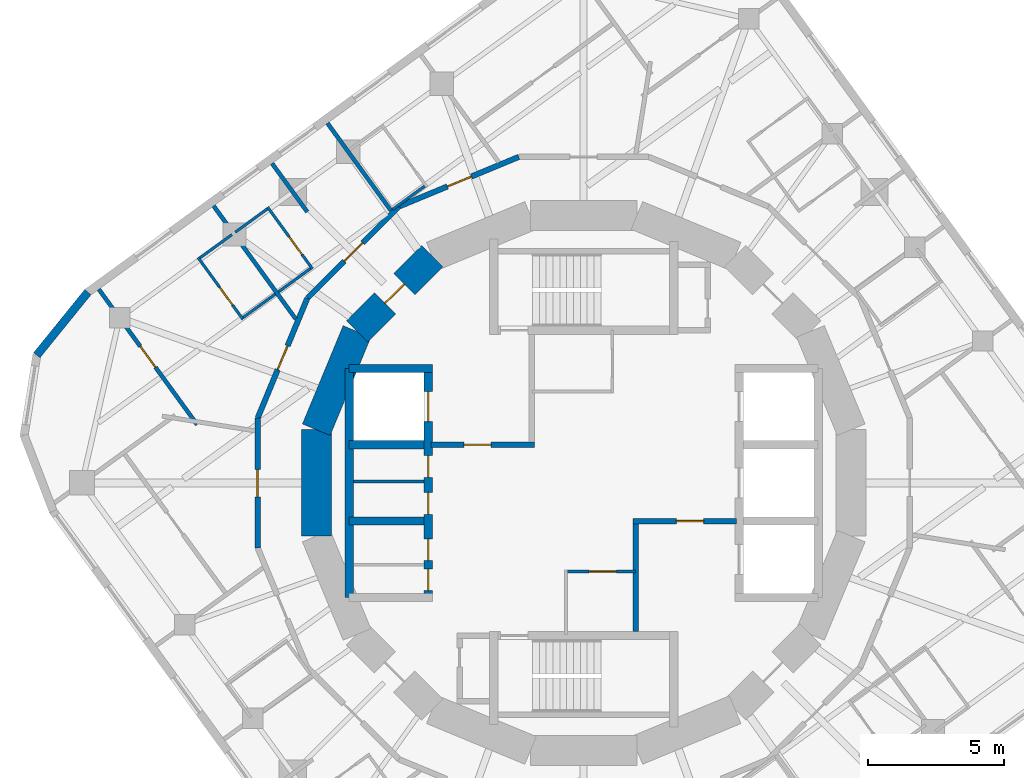
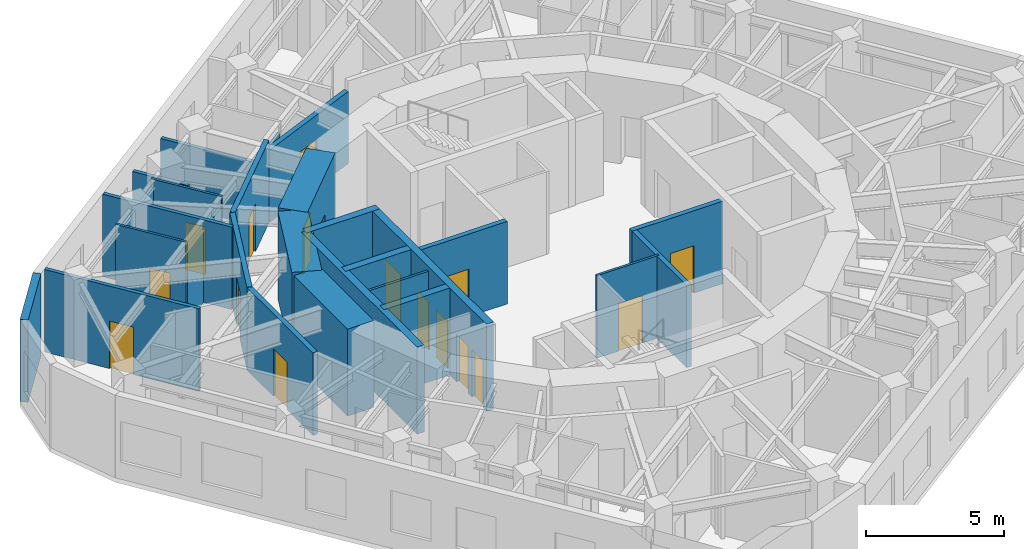
# One storey, part 5 of 9: 29 walls, 16 doors, 16 openings.
"""IFC4 building model written with IfcOpenShell, lengths in metres."""

from ifc_helpers import new_model, si_unit, direction, frame, frame_2d, origin, place, context, subcontext, project, spatial, rectangle, extrude, material, layer, layer_set, type_object, element, fill, save


model = new_model("IFC4")

# Units and contexts
model_context = context("Model", 3, precision=1e-05, world=origin(), true_north=direction((0.0, 1.0)))
body_context = subcontext(model_context, "Body", "Model", "MODEL_VIEW")
ifc_project = project(units=[si_unit("LENGTHUNIT", "METRE"), si_unit("AREAUNIT", "SQUARE_METRE"), si_unit("VOLUMEUNIT", "CUBIC_METRE"), si_unit("PLANEANGLEUNIT", "RADIAN"), si_unit("MASSUNIT", "GRAM", prefix="KILO")], contexts=[model_context])

# Site, building, storey
site_placement = place(None, origin())
site = spatial("IfcSite", under=ifc_project, at=site_placement, CompositionType="ELEMENT")
building_placement = place(site_placement, origin())
building = spatial("IfcBuilding", under=site, at=building_placement, Name="Nakasero Lantern House", CompositionType="ELEMENT")
storey_placement = place(building_placement, frame((0.0, 0.0, 286.85009765625)))
storey = spatial("IfcBuildingStorey", under=building, at=storey_placement, Name="L70", CompositionType="ELEMENT", Elevation=286.85009765625)

# Wall, openings, doors
ifc_material_1 = material(Name="Concrete C50/60", Category="concrete")
ifc_layer_1 = layer(ifc_material_1, 0.300048828125)
ifc_layer_set_1 = layer_set([ifc_layer_1], Name="Core inner wall 300")
wall_type_1 = type_object("IfcWallType", Name="Core inner wall 300", PredefinedType="SHEAR", material=ifc_layer_set_1)
wall_1_placement = place(storey_placement, frame((-5.699951171875, -4.199951171875, 0.0), z_axis=(0.0, 0.0, 1.0), x_axis=(0.0, 1.0, 0.0)))
wall_1 = element("IfcWall", 1, at=wall_1_placement, inside=storey, type_object=wall_type_1, Name="Core inner wall L70 LW", PredefinedType="SHEAR", context=body_context, shape_type="SweptSolid", body=[
    extrude(rectangle(XDim=8.39990234375, YDim=0.300048828125, at=frame_2d((4.199951171875, 0.0))), origin(), (0.0, 0.0, 1.0), 3.849853515625),
])
opening_1_placement = place(wall_1_placement, frame((0.25, 0.0, 0.0)))
opening_1 = element("IfcOpeningElement", 2, at=opening_1_placement, cuts=wall_1, Name="Opening D15", PredefinedType="OPENING", context=body_context, shape_type="SweptSolid", body=[
    extrude(rectangle(XDim=0.800048828125, YDim=2.10009765625, at=frame_2d((0.39990234375, 1.050048828125))), frame((0.0, 0.169921875, 0.0), z_axis=(0.0, -1.0, 0.0), x_axis=(1.0, 0.0, 0.0)), (0.0, 0.0, 1.0), 0.340087890625),
])
opening_2_placement = place(wall_1_placement, frame((1.35009765625, 0.0, 0.0)))
opening_2 = element("IfcOpeningElement", 3, at=opening_2_placement, cuts=wall_1, Name="Opening D15", PredefinedType="OPENING", context=body_context, shape_type="SweptSolid", body=[
    extrude(rectangle(XDim=0.800048828125, YDim=2.10009765625, at=frame_2d((0.39990234375, 1.050048828125))), frame((0.0, 0.169921875, 0.0), z_axis=(0.0, -1.0, 0.0), x_axis=(1.0, 0.0, 0.0)), (0.0, 0.0, 1.0), 0.340087890625),
])
opening_3_placement = place(wall_1_placement, frame((3.050048828125, 0.0, 0.0)))
opening_3 = element("IfcOpeningElement", 4, at=opening_3_placement, cuts=wall_1, Name="Opening D15", PredefinedType="OPENING", context=body_context, shape_type="SweptSolid", body=[
    extrude(rectangle(XDim=0.800048828125, YDim=2.10009765625, at=frame_2d((0.39990234375, 1.050048828125))), frame((0.0, 0.169921875, 0.0), z_axis=(0.0, -1.0, 0.0), x_axis=(1.0, 0.0, 0.0)), (0.0, 0.0, 1.0), 0.340087890625),
])
opening_4_placement = place(wall_1_placement, frame((4.39990234375, 0.0, 0.0)))
opening_4 = element("IfcOpeningElement", 5, at=opening_4_placement, cuts=wall_1, Name="Opening D15", PredefinedType="OPENING", context=body_context, shape_type="SweptSolid", body=[
    extrude(rectangle(XDim=0.800048828125, YDim=2.10009765625, at=frame_2d((0.39990234375, 1.050048828125))), frame((0.0, 0.169921875, 0.0), z_axis=(0.0, -1.0, 0.0), x_axis=(1.0, 0.0, 0.0)), (0.0, 0.0, 1.0), 0.340087890625),
])
opening_5_placement = place(wall_1_placement, frame((6.449951171875, 0.0, 0.0)))
opening_5 = element("IfcOpeningElement", 6, at=opening_5_placement, cuts=wall_1, Name="Opening LD", PredefinedType="OPENING", context=body_context, shape_type="SweptSolid", body=[
    extrude(rectangle(XDim=1.10009765625, YDim=2.10009765625, at=frame_2d((0.550048828125, 1.050048828125))), frame((0.0, 0.169921875, 0.0), z_axis=(0.0, -1.0, 0.0), x_axis=(1.0, 0.0, 0.0)), (0.0, 0.0, 1.0), 0.340087890625),
])
ifc_material_2 = material(Name="Timber C24", Category="wood")
door_type_1 = type_object("IfcDoorType", Name="Cleaner's store door FD30S 800", OperationType="SINGLE_SWING_LEFT", PredefinedType="DOOR", material=ifc_material_2)
door_1_placement = place(opening_1_placement, origin())
door_1 = element("IfcDoor", 7, at=door_1_placement, inside=storey, type_object=door_type_1, Name="Door L70 D-SH-LW1a", OperationType="SINGLE_SWING_LEFT", OverallHeight=2.10009765625, OverallWidth=0.800048828125, PredefinedType="DOOR", context=body_context, shape_type="SweptSolid", body=[
    extrude(rectangle(XDim=0.800048828125, YDim=2.10009765625, at=frame_2d((0.39990234375, 1.050048828125))), frame((0.0, 0.02490234375, 0.0), z_axis=(0.0, -1.0, 0.0), x_axis=(1.0, 0.0, 0.0)), (0.0, 0.0, 1.0), 0.050048828125),
])
fill(opening_1, door_1)
door_2_placement = place(opening_2_placement, origin())
door_2 = element("IfcDoor", 8, at=door_2_placement, inside=storey, type_object=door_type_1, Name="Door L70 D-SH-LW1b", OperationType="SINGLE_SWING_LEFT", OverallHeight=2.10009765625, OverallWidth=0.800048828125, PredefinedType="DOOR", context=body_context, shape_type="SweptSolid", body=[
    extrude(rectangle(XDim=0.800048828125, YDim=2.10009765625, at=frame_2d((0.39990234375, 1.050048828125))), frame((0.0, 0.02490234375, 0.0), z_axis=(0.0, -1.0, 0.0), x_axis=(1.0, 0.0, 0.0)), (0.0, 0.0, 1.0), 0.050048828125),
])
fill(opening_2, door_2)
door_3_placement = place(opening_3_placement, origin())
door_3 = element("IfcDoor", 9, at=door_3_placement, inside=storey, type_object=door_type_1, Name="Door L70 D-SH-LW2a", OperationType="SINGLE_SWING_LEFT", OverallHeight=2.10009765625, OverallWidth=0.800048828125, PredefinedType="DOOR", context=body_context, shape_type="SweptSolid", body=[
    extrude(rectangle(XDim=0.800048828125, YDim=2.10009765625, at=frame_2d((0.39990234375, 1.050048828125))), frame((0.0, 0.02490234375, 0.0), z_axis=(0.0, -1.0, 0.0), x_axis=(1.0, 0.0, 0.0)), (0.0, 0.0, 1.0), 0.050048828125),
])
fill(opening_3, door_3)
door_4_placement = place(opening_4_placement, origin())
door_4 = element("IfcDoor", 10, at=door_4_placement, inside=storey, type_object=door_type_1, Name="Door L70 D-SH-LW2b", OperationType="SINGLE_SWING_RIGHT", OverallHeight=2.10009765625, OverallWidth=0.800048828125, PredefinedType="DOOR", context=body_context, shape_type="SweptSolid", body=[
    extrude(rectangle(XDim=0.800048828125, YDim=2.10009765625, at=frame_2d((0.39990234375, 1.050048828125))), frame((0.0, 0.02490234375, 0.0), z_axis=(0.0, -1.0, 0.0), x_axis=(1.0, 0.0, 0.0)), (0.0, 0.0, 1.0), 0.050048828125),
])
fill(opening_4, door_4)
ifc_material_3 = material(Name="Steel S355", Category="steel")
door_type_2 = type_object("IfcDoorType", Name="Lift landing door E120 1100", OperationType="SLIDING_TO_LEFT", PredefinedType="DOOR", material=ifc_material_3)
door_5_placement = place(opening_5_placement, origin())
door_5 = element("IfcDoor", 11, at=door_5_placement, inside=storey, type_object=door_type_2, Name="Lift landing door LW3", OperationType="SLIDING_TO_LEFT", OverallHeight=2.10009765625, OverallWidth=1.10009765625, PredefinedType="DOOR", context=body_context, shape_type="SweptSolid", body=[
    extrude(rectangle(XDim=1.10009765625, YDim=2.10009765625, at=frame_2d((0.550048828125, 1.050048828125))), frame((0.0, 0.02490234375, 0.0), z_axis=(0.0, -1.0, 0.0), x_axis=(1.0, 0.0, 0.0)), (0.0, 0.0, 1.0), 0.050048828125),
])
fill(opening_5, door_5)

# Walls
wall_2_placement = place(storey_placement, frame((-8.60009765625, 4.199951171875, 0.0), z_axis=(0.0, 0.0, 1.0), x_axis=(1.0, 0.0, 0.0)))
element("IfcWall", 12, at=wall_2_placement, inside=storey, type_object=wall_type_1, Name="Core inner wall L70 LWN", PredefinedType="SHEAR", context=body_context, shape_type="SweptSolid", body=[
    extrude(rectangle(XDim=3.050048828125, YDim=0.300048828125, at=frame_2d((1.52490234375, 0.0))), origin(), (0.0, 0.0, 1.0), 3.849853515625),
])
wall_3_placement = place(storey_placement, frame((-8.60009765625, -4.199951171875, 0.0), z_axis=(0.0, 0.0, 1.0), x_axis=(0.0, 1.0, 0.0)))
element("IfcWall", 13, at=wall_3_placement, inside=storey, type_object=wall_type_1, Name="Core inner wall L70 LWB", PredefinedType="SHEAR", context=body_context, shape_type="SweptSolid", body=[
    extrude(rectangle(XDim=8.39990234375, YDim=0.300048828125, at=frame_2d((4.199951171875, 0.0))), origin(), (0.0, 0.0, 1.0), 3.849853515625),
])
for number, where, z_axis, x_axis, name in (
    (14, (-8.60009765625, -1.39990234375, 0.0), (0.0, 0.0, 1.0), (1.0, 0.0, 0.0), "Core inner wall L70 LW1"),
    (15, (-8.60009765625, 1.39990234375, 0.0), (0.0, 0.0, 1.0), (1.0, 0.0, 0.0), "Core inner wall L70 LW2"),
):
    element("IfcWall", number, at=place(storey_placement, frame(where, z_axis=z_axis, x_axis=x_axis)), inside=storey, type_object=wall_type_1, Name=name, PredefinedType="SHEAR", context=body_context, shape_type="SweptSolid", body=[
        extrude(rectangle(XDim=2.75, YDim=0.300048828125, at=frame_2d((1.375, 0.0))), origin(), (0.0, 0.0, 1.0), 3.849853515625),
    ])

# Wall, opening, door
ifc_material_4 = material(Name="Blockwork", Category="masonry")
ifc_layer_2 = layer(ifc_material_4, 0.10009765625)
ifc_layer_set_2 = layer_set([ifc_layer_2], Name="Core room wall 100")
wall_type_2 = type_object("IfcWallType", Name="Core room wall 100", PredefinedType="PARTITIONING", material=ifc_layer_set_2)
wall_4_placement = place(storey_placement, frame((-0.699951171875, -3.25, 0.0), z_axis=(0.0, 0.0, 1.0), x_axis=(1.0, 0.0, 0.0)))
wall_4 = element("IfcWall", 16, at=wall_4_placement, inside=storey, type_object=wall_type_2, Name="Core room wall L70 CR-SWN", PredefinedType="PARTITIONING", context=body_context, shape_type="SweptSolid", body=[
    extrude(rectangle(XDim=2.599853515625, YDim=0.10009765625, at=frame_2d((1.2998046875, 0.0))), origin(), (0.0, 0.0, 1.0), 3.64990234375),
])
opening_6_placement = place(wall_4_placement, frame((0.89990234375, 0.0, 0.0)))
opening_6 = element("IfcOpeningElement", 17, at=opening_6_placement, cuts=wall_4, Name="Opening D07", PredefinedType="OPENING", context=body_context, shape_type="SweptSolid", body=[
    extrude(rectangle(XDim=1.0, YDim=2.10009765625, at=frame_2d((0.5, 1.050048828125))), frame((0.0, 0.070068359375, 0.0), z_axis=(0.0, -1.0, 0.0), x_axis=(1.0, 0.0, 0.0)), (0.0, 0.0, 1.0), 0.14013671875),
])
ifc_material_5 = material(Name="Timber C24", Category="wood")
door_type_3 = type_object("IfcDoorType", Name="Room door FD30S 1000", OperationType="SINGLE_SWING_LEFT", PredefinedType="DOOR", material=ifc_material_5)
door_6_placement = place(opening_6_placement, origin())
door_6 = element("IfcDoor", 18, at=door_6_placement, inside=storey, type_object=door_type_3, Name="Door L70 D-CR-SW", OperationType="SINGLE_SWING_RIGHT", OverallHeight=2.10009765625, OverallWidth=1.0, PredefinedType="DOOR", context=body_context, shape_type="SweptSolid", body=[
    extrude(rectangle(XDim=1.0, YDim=2.10009765625, at=frame_2d((0.5, 1.050048828125))), frame((0.0, 0.02490234375, 0.0), z_axis=(0.0, -1.0, 0.0), x_axis=(1.0, 0.0, 0.0)), (0.0, 0.0, 1.0), 0.050048828125),
])
fill(opening_6, door_6)

# Wall
wall_5_placement = place(storey_placement, frame((-8.449951171875, 0.050048828125, 0.0), z_axis=(0.0, 0.0, 1.0), x_axis=(1.0, 0.0, 0.0)))
element("IfcWall", 19, at=wall_5_placement, inside=storey, type_object=wall_type_2, Name="Core room wall L70 CR-SH-LW2b", PredefinedType="PARTITIONING", context=body_context, shape_type="SweptSolid", body=[
    extrude(rectangle(XDim=2.599853515625, YDim=0.10009765625, at=frame_2d((1.2998046875, 0.0))), origin(), (0.0, 0.0, 1.0), 3.64990234375),
])

# Wall, opening, door
ifc_material_6 = material(Name="Concrete C50/60", Category="concrete")
ifc_layer_3 = layer(ifc_material_6, 1.10009765625)
ifc_layer_set_3 = layer_set([ifc_layer_3], Name="Core wall 1100")
wall_type_3 = type_object("IfcWallType", Name="Core wall 1100", PredefinedType="SHEAR", material=ifc_layer_set_3)
wall_6_placement = place(storey_placement, frame((-5.5556640625, 8.314697265625, 0.0), z_axis=(0.0, 0.0, 1.0), x_axis=(-0.707106781187, -0.707106781187, 0.0)))
wall_6 = element("IfcWall", 20, at=wall_6_placement, inside=storey, type_object=wall_type_3, Name="Core wall L70 facet 6", PredefinedType="SHEAR", context=body_context, shape_type="SweptSolid", body=[
    extrude(rectangle(XDim=3.90185546875, YDim=1.10009765625, at=frame_2d((1.950927734375, 0.0))), origin(), (0.0, 0.0, 1.0), 3.849853515625),
])
opening_7_placement = place(wall_6_placement, frame((1.450927734375, 0.0, 0.0)))
opening_7 = element("IfcOpeningElement", 21, at=opening_7_placement, cuts=wall_6, Name="Opening D05", PredefinedType="OPENING", context=body_context, shape_type="SweptSolid", body=[
    extrude(rectangle(XDim=1.0, YDim=2.10009765625, at=frame_2d((0.5, 1.050048828125))), frame((0.0, 0.570068359375, 0.0), z_axis=(0.0, -1.0, 0.0), x_axis=(1.0, 0.0, 0.0)), (0.0, 0.0, 1.0), 1.14013671875),
])
ifc_material_7 = material(Name="Timber C24", Category="wood")
door_type_4 = type_object("IfcDoorType", Name="Core door FD60S 1000", OperationType="SINGLE_SWING_LEFT", PredefinedType="DOOR", material=ifc_material_7)
door_7_placement = place(opening_7_placement, origin())
door_7 = element("IfcDoor", 22, at=door_7_placement, inside=storey, type_object=door_type_4, Name="Door L70 D-CORE06", OperationType="SINGLE_SWING_LEFT", OverallHeight=2.10009765625, OverallWidth=1.0, PredefinedType="DOOR", context=body_context, shape_type="SweptSolid", body=[
    extrude(rectangle(XDim=1.0, YDim=2.10009765625, at=frame_2d((0.5, 1.050048828125))), frame((0.0, 0.02490234375, 0.0), z_axis=(0.0, -1.0, 0.0), x_axis=(1.0, 0.0, 0.0)), (0.0, 0.0, 1.0), 0.050048828125),
])
fill(opening_7, door_7)

# Walls
for number, where, z_axis, x_axis, name in (
    (23, (-8.314697265625, 5.5556640625, 0.0), (0.0, 0.0, 1.0), (-0.382690736062, -0.923876507187, 0.0), "Core wall L70 facet 7"),
    (24, (-9.807861328125, 1.950927734375, 0.0), (0.0, 0.0, 1.0), (0.0, -1.0, 0.0), "Core wall L70 facet 8"),
):
    element("IfcWall", number, at=place(storey_placement, frame(where, z_axis=z_axis, x_axis=x_axis)), inside=storey, type_object=wall_type_3, Name=name, PredefinedType="SHEAR", context=body_context, shape_type="SweptSolid", body=[
        extrude(rectangle(XDim=3.90185546875, YDim=1.10009765625, at=frame_2d((1.950927734375, 0.0))), origin(), (0.0, 0.0, 1.0), 3.849853515625),
    ])

# Wall, opening, door
ifc_material_8 = material(Name="Blockwork", Category="masonry")
ifc_layer_4 = layer(ifc_material_8, 0.199951171875)
ifc_layer_set_4 = layer_set([ifc_layer_4], Name="Corridor wall 200")
wall_type_4 = type_object("IfcWallType", Name="Corridor wall 200", PredefinedType="PARTITIONING", material=ifc_layer_set_4)
wall_7_placement = place(storey_placement, frame((-11.957763671875, -2.378662109375, 0.0), z_axis=(0.0, 0.0, 1.0), x_axis=(0.0, 1.0, 0.0)))
wall_7 = element("IfcWall", 25, at=wall_7_placement, inside=storey, type_object=wall_type_4, Name="Corridor wall L70 RC08a", PredefinedType="PARTITIONING", context=body_context, shape_type="SweptSolid", body=[
    extrude(rectangle(XDim=4.75732421875, YDim=0.199951171875, at=frame_2d((2.378662109375, 0.0))), origin(), (0.0, 0.0, 1.0), 3.64990234375),
])
opening_8_placement = place(wall_7_placement, frame((1.8701171875, 0.0, 0.0)))
opening_8 = element("IfcOpeningElement", 26, at=opening_8_placement, cuts=wall_7, Name="Opening D03", PredefinedType="OPENING", context=body_context, shape_type="SweptSolid", body=[
    extrude(rectangle(XDim=1.0, YDim=2.10009765625, at=frame_2d((0.5, 1.050048828125))), frame((0.0, 0.119873046875, 0.0), z_axis=(0.0, -1.0, 0.0), x_axis=(1.0, 0.0, 0.0)), (0.0, 0.0, 1.0), 0.239990234375),
])
ifc_material_9 = material(Name="Timber C24", Category="wood")
door_type_5 = type_object("IfcDoorType", Name="Lounge door FD30S 1000", OperationType="SINGLE_SWING_LEFT", PredefinedType="DOOR", material=ifc_material_9)
door_8_placement = place(opening_8_placement, origin())
door_8 = element("IfcDoor", 27, at=door_8_placement, inside=storey, type_object=door_type_5, Name="Door L70 DK2", OperationType="SINGLE_SWING_LEFT", OverallHeight=2.10009765625, OverallWidth=1.0, PredefinedType="DOOR", context=body_context, shape_type="SweptSolid", body=[
    extrude(rectangle(XDim=1.0, YDim=2.10009765625, at=frame_2d((0.5, 1.050048828125))), frame((0.0, 0.02490234375, 0.0), z_axis=(0.0, -1.0, 0.0), x_axis=(1.0, 0.0, 0.0)), (0.0, 0.0, 1.0), 0.050048828125),
])
fill(opening_8, door_8)

wall_8_placement = place(storey_placement, frame((-11.957763671875, 2.378662109375, 0.0), z_axis=(0.0, 0.0, 1.0), x_axis=(0.382653970627, 0.923891735412, 0.0)))
wall_8 = element("IfcWall", 28, at=wall_8_placement, inside=storey, type_object=wall_type_4, Name="Corridor wall L70 RC09a", PredefinedType="PARTITIONING", context=body_context, shape_type="SweptSolid", body=[
    extrude(rectangle(XDim=4.757080078125, YDim=0.199951171875, at=frame_2d((2.37841796875, 0.0))), origin(), (0.0, 0.0, 1.0), 3.64990234375),
])
opening_9_placement = place(wall_8_placement, frame((1.919921875, 0.0, 0.0)))
opening_9 = element("IfcOpeningElement", 29, at=opening_9_placement, cuts=wall_8, Name="Opening D01", PredefinedType="OPENING", context=body_context, shape_type="SweptSolid", body=[
    extrude(rectangle(XDim=0.949951171875, YDim=2.10009765625, at=frame_2d((0.47509765625, 1.050048828125))), frame((0.0, 0.119873046875, 0.0), z_axis=(0.0, -1.0, 0.0), x_axis=(1.0, 0.0, 0.0)), (0.0, 0.0, 1.0), 0.239990234375),
])
ifc_material_10 = material(Name="Timber C24", Category="wood")
door_type_6 = type_object("IfcDoorType", Name="Bedroom door FD30S 950", OperationType="SINGLE_SWING_LEFT", PredefinedType="DOOR", material=ifc_material_10)
door_9_placement = place(opening_9_placement, origin())
door_9 = element("IfcDoor", 30, at=door_9_placement, inside=storey, type_object=door_type_6, Name="Door L70 D1-06", OperationType="SINGLE_SWING_RIGHT", OverallHeight=2.10009765625, OverallWidth=0.949951171875, PredefinedType="DOOR", context=body_context, shape_type="SweptSolid", body=[
    extrude(rectangle(XDim=0.949951171875, YDim=2.10009765625, at=frame_2d((0.47509765625, 1.050048828125))), frame((0.0, 0.02490234375, 0.0), z_axis=(0.0, -1.0, 0.0), x_axis=(1.0, 0.0, 0.0)), (0.0, 0.0, 1.0), 0.050048828125),
])
fill(opening_9, door_9)

wall_9_placement = place(storey_placement, frame((-10.137451171875, 6.773681640625, 0.0), z_axis=(0.0, 0.0, 1.0), x_axis=(0.707106781187, 0.707106781187, 0.0)))
wall_9 = element("IfcWall", 31, at=wall_9_placement, inside=storey, type_object=wall_type_4, Name="Corridor wall L70 RC10a", PredefinedType="PARTITIONING", context=body_context, shape_type="SweptSolid", body=[
    extrude(rectangle(XDim=4.757080078125, YDim=0.199951171875, at=frame_2d((2.37841796875, 0.0))), origin(), (0.0, 0.0, 1.0), 3.64990234375),
])
opening_10_placement = place(wall_9_placement, frame((1.919921875, 0.0, 0.0)))
opening_10 = element("IfcOpeningElement", 32, at=opening_10_placement, cuts=wall_9, Name="Opening D01", PredefinedType="OPENING", context=body_context, shape_type="SweptSolid", body=[
    extrude(rectangle(XDim=0.949951171875, YDim=2.10009765625, at=frame_2d((0.47509765625, 1.050048828125))), frame((0.0, 0.119873046875, 0.0), z_axis=(0.0, -1.0, 0.0), x_axis=(1.0, 0.0, 0.0)), (0.0, 0.0, 1.0), 0.239990234375),
])
door_10_placement = place(opening_10_placement, origin())
door_10 = element("IfcDoor", 33, at=door_10_placement, inside=storey, type_object=door_type_6, Name="Door L70 D1-04", OperationType="SINGLE_SWING_RIGHT", OverallHeight=2.10009765625, OverallWidth=0.949951171875, PredefinedType="DOOR", context=body_context, shape_type="SweptSolid", body=[
    extrude(rectangle(XDim=0.949951171875, YDim=2.10009765625, at=frame_2d((0.47509765625, 1.050048828125))), frame((0.0, 0.02490234375, 0.0), z_axis=(0.0, -1.0, 0.0), x_axis=(1.0, 0.0, 0.0)), (0.0, 0.0, 1.0), 0.050048828125),
])
fill(opening_10, door_10)

wall_10_placement = place(storey_placement, frame((-6.773681640625, 10.137451171875, 0.0), z_axis=(0.0, 0.0, 1.0), x_axis=(0.923891735412, 0.382653970627, 0.0)))
wall_10 = element("IfcWall", 34, at=wall_10_placement, inside=storey, type_object=wall_type_4, Name="Corridor wall L70 RC11a", PredefinedType="PARTITIONING", context=body_context, shape_type="SweptSolid", body=[
    extrude(rectangle(XDim=4.757080078125, YDim=0.199951171875, at=frame_2d((2.37841796875, 0.0))), origin(), (0.0, 0.0, 1.0), 3.18994140625),
])
opening_11_placement = place(wall_10_placement, frame((1.919921875, 0.0, 0.0)))
opening_11 = element("IfcOpeningElement", 35, at=opening_11_placement, cuts=wall_10, Name="Opening D01", PredefinedType="OPENING", context=body_context, shape_type="SweptSolid", body=[
    extrude(rectangle(XDim=0.949951171875, YDim=2.10009765625, at=frame_2d((0.47509765625, 1.050048828125))), frame((0.0, 0.119873046875, 0.0), z_axis=(0.0, -1.0, 0.0), x_axis=(1.0, 0.0, 0.0)), (0.0, 0.0, 1.0), 0.239990234375),
])
door_11_placement = place(opening_11_placement, origin())
door_11 = element("IfcDoor", 36, at=door_11_placement, inside=storey, type_object=door_type_6, Name="Door L70 D1-03", OperationType="SINGLE_SWING_RIGHT", OverallHeight=2.10009765625, OverallWidth=0.949951171875, PredefinedType="DOOR", context=body_context, shape_type="SweptSolid", body=[
    extrude(rectangle(XDim=0.949951171875, YDim=2.10009765625, at=frame_2d((0.47509765625, 1.050048828125))), frame((0.0, 0.02490234375, 0.0), z_axis=(0.0, -1.0, 0.0), x_axis=(1.0, 0.0, 0.0)), (0.0, 0.0, 1.0), 0.050048828125),
])
fill(opening_11, door_11)

# Wall
ifc_material_11 = material(Name="Blockwork", Category="masonry")
ifc_layer_5 = layer(ifc_material_11, 0.10009765625)
ifc_layer_set_5 = layer_set([ifc_layer_5], Name="En-suite wall 100")
wall_type_5 = type_object("IfcWallType", Name="En-suite wall 100", PredefinedType="PARTITIONING", material=ifc_layer_set_5)
wall_11_placement = place(storey_placement, frame((-5.8349609375, 10.883544921875, 0.0), z_axis=(0.0, 0.0, 1.0), x_axis=(-0.809019944521, -0.587781191743, 0.0)))
element("IfcWall", 37, at=wall_11_placement, inside=storey, type_object=wall_type_5, Name="En-suite wall L70 EI1-03", PredefinedType="PARTITIONING", context=body_context, shape_type="SweptSolid", body=[
    extrude(rectangle(XDim=1.449951171875, YDim=0.10009765625, at=frame_2d((0.72509765625, 0.0))), origin(), (0.0, 0.0, 1.0), 3.18994140625),
])

# Wall, opening, door
wall_12_placement = place(storey_placement, frame((-9.949462890625, 7.851318359375, 0.0), z_axis=(0.0, 0.0, 1.0), x_axis=(-0.587793152327, 0.809011254605, 0.0)))
wall_12 = element("IfcWall", 38, at=wall_12_placement, inside=storey, type_object=wall_type_5, Name="En-suite wall L70 ES1-04", PredefinedType="PARTITIONING", context=body_context, shape_type="SweptSolid", body=[
    extrude(rectangle(XDim=2.7998046875, YDim=0.10009765625, at=frame_2d((1.39990234375, 0.0))), origin(), (0.0, 0.0, 1.0), 3.64990234375),
])
opening_12_placement = place(wall_12_placement, frame((0.64990234375, 0.0, 0.0)))
opening_12 = element("IfcOpeningElement", 39, at=opening_12_placement, cuts=wall_12, Name="Opening D02", PredefinedType="OPENING", context=body_context, shape_type="SweptSolid", body=[
    extrude(rectangle(XDim=0.800048828125, YDim=2.10009765625, at=frame_2d((0.39990234375, 1.050048828125))), frame((0.0, 0.070068359375, 0.0), z_axis=(0.0, -1.0, 0.0), x_axis=(1.0, 0.0, 0.0)), (0.0, 0.0, 1.0), 0.14013671875),
])
ifc_material_12 = material(Name="Timber C24", Category="wood")
door_type_7 = type_object("IfcDoorType", Name="En-suite door 800", OperationType="SINGLE_SWING_RIGHT", PredefinedType="DOOR", material=ifc_material_12)
door_12_placement = place(opening_12_placement, origin())
door_12 = element("IfcDoor", 40, at=door_12_placement, inside=storey, type_object=door_type_7, Name="Door L70 DE1-04", OperationType="SINGLE_SWING_LEFT", OverallHeight=2.10009765625, OverallWidth=0.800048828125, PredefinedType="DOOR", context=body_context, shape_type="SweptSolid", body=[
    extrude(rectangle(XDim=0.800048828125, YDim=2.10009765625, at=frame_2d((0.39990234375, 1.050048828125))), frame((0.0, 0.02490234375, 0.0), z_axis=(0.0, -1.0, 0.0), x_axis=(1.0, 0.0, 0.0)), (0.0, 0.0, 1.0), 0.050048828125),
])
fill(opening_12, door_12)

# Walls
wall_13_placement = place(storey_placement, frame((-11.6064453125, 10.046630859375, 0.0), z_axis=(0.0, 0.0, 1.0), x_axis=(-0.809019944521, -0.587781191743, 0.0)))
element("IfcWall", 41, at=wall_13_placement, inside=storey, type_object=wall_type_5, Name="En-suite wall L70 EE1-04", PredefinedType="PARTITIONING", context=body_context, shape_type="SweptSolid", body=[
    extrude(rectangle(XDim=1.449951171875, YDim=0.10009765625, at=frame_2d((0.72509765625, 0.0))), origin(), (0.0, 0.0, 1.0), 3.294921875),
])
wall_14_placement = place(storey_placement, frame((-10.019287109375, 7.8623046875, 0.0), z_axis=(0.0, 0.0, 1.0), x_axis=(-0.809019944521, -0.587781191743, 0.0)))
element("IfcWall", 42, at=wall_14_placement, inside=storey, type_object=wall_type_5, Name="En-suite wall L70 EI1-04", PredefinedType="PARTITIONING", context=body_context, shape_type="SweptSolid", body=[
    extrude(rectangle(XDim=1.449951171875, YDim=0.10009765625, at=frame_2d((0.72509765625, 0.0))), origin(), (0.0, 0.0, 1.0), 3.18994140625),
])

# Wall, opening, door
wall_15_placement = place(storey_placement, frame((-12.498046875, 5.999755859375, 0.0), z_axis=(0.0, 0.0, 1.0), x_axis=(-0.587793152327, 0.809011254605, 0.0)))
wall_15 = element("IfcWall", 43, at=wall_15_placement, inside=storey, type_object=wall_type_5, Name="En-suite wall L70 ES1-06", PredefinedType="PARTITIONING", context=body_context, shape_type="SweptSolid", body=[
    extrude(rectangle(XDim=2.7998046875, YDim=0.10009765625, at=frame_2d((1.39990234375, 0.0))), origin(), (0.0, 0.0, 1.0), 3.64990234375),
])
opening_13_placement = place(wall_15_placement, frame((0.64990234375, 0.0, 0.0)))
opening_13 = element("IfcOpeningElement", 44, at=opening_13_placement, cuts=wall_15, Name="Opening D02", PredefinedType="OPENING", context=body_context, shape_type="SweptSolid", body=[
    extrude(rectangle(XDim=0.800048828125, YDim=2.10009765625, at=frame_2d((0.39990234375, 1.050048828125))), frame((0.0, 0.070068359375, 0.0), z_axis=(0.0, -1.0, 0.0), x_axis=(1.0, 0.0, 0.0)), (0.0, 0.0, 1.0), 0.14013671875),
])
door_13_placement = place(opening_13_placement, origin())
door_13 = element("IfcDoor", 45, at=door_13_placement, inside=storey, type_object=door_type_7, Name="Door L70 DE1-06", OperationType="SINGLE_SWING_LEFT", OverallHeight=2.10009765625, OverallWidth=0.800048828125, PredefinedType="DOOR", context=body_context, shape_type="SweptSolid", body=[
    extrude(rectangle(XDim=0.800048828125, YDim=2.10009765625, at=frame_2d((0.39990234375, 1.050048828125))), frame((0.0, 0.02490234375, 0.0), z_axis=(0.0, -1.0, 0.0), x_axis=(1.0, 0.0, 0.0)), (0.0, 0.0, 1.0), 0.050048828125),
])
fill(opening_13, door_13)

# Walls
wall_16_placement = place(storey_placement, frame((-12.90087890625, 9.106201171875, 0.0), z_axis=(0.0, 0.0, 1.0), x_axis=(-0.809019944521, -0.587781191743, 0.0)))
element("IfcWall", 46, at=wall_16_placement, inside=storey, type_object=wall_type_5, Name="En-suite wall L70 EE1-06", PredefinedType="PARTITIONING", context=body_context, shape_type="SweptSolid", body=[
    extrude(rectangle(XDim=1.449951171875, YDim=0.10009765625, at=frame_2d((0.72509765625, 0.0))), origin(), (0.0, 0.0, 1.0), 3.294921875),
])
wall_17_placement = place(storey_placement, frame((-11.313720703125, 6.921875, 0.0), z_axis=(0.0, 0.0, 1.0), x_axis=(-0.809019944521, -0.587781191743, 0.0)))
element("IfcWall", 47, at=wall_17_placement, inside=storey, type_object=wall_type_5, Name="En-suite wall L70 EI1-06", PredefinedType="PARTITIONING", context=body_context, shape_type="SweptSolid", body=[
    extrude(rectangle(XDim=1.449951171875, YDim=0.10009765625, at=frame_2d((0.72509765625, 0.0))), origin(), (0.0, 0.0, 1.0), 3.18994140625),
])
ifc_material_13 = material(Name="Aluminium rainscreen on blockwork", Category="masonry")
ifc_layer_6 = layer(ifc_material_13, 0.300048828125)
ifc_layer_set_6 = layer_set([ifc_layer_6], Name="Facade wall 300")
wall_type_6 = type_object("IfcWallType", Name="Facade wall 300", PredefinedType="SOLIDWALL", material=ifc_layer_set_6)
wall_18_placement = place(storey_placement, frame((-18.185791015625, 6.996826171875, 0.0), z_axis=(0.0, 0.0, 1.0), x_axis=(-0.629375183362, -0.777101588319, 0.0)))
element("IfcWall", 48, at=wall_18_placement, inside=storey, type_object=wall_type_6, Name="Facade wall L70 FW1C1", PredefinedType="SOLIDWALL", context=body_context, shape_type="SweptSolid", body=[
    extrude(rectangle(XDim=2.976318359375, YDim=0.300048828125, at=frame_2d((1.48828125, 0.0))), origin(), (0.0, 0.0, 1.0), 3.64990234375),
])

# Wall, opening, door
ifc_material_14 = material(Name="Blockwork", Category="masonry")
ifc_layer_7 = layer(ifc_material_14, 0.199951171875)
ifc_layer_set_7 = layer_set([ifc_layer_7], Name="Fire lobby wall 200")
wall_type_7 = type_object("IfcWallType", Name="Fire lobby wall 200", PredefinedType="PARTITIONING", material=ifc_layer_set_7)
wall_19_placement = place(storey_placement, frame((-5.60009765625, 1.39990234375, 0.0), z_axis=(0.0, 0.0, 1.0), x_axis=(1.0, 0.0, 0.0)))
wall_19 = element("IfcWall", 49, at=wall_19_placement, inside=storey, type_object=wall_type_7, Name="Fire lobby wall L70 W-FL1S", PredefinedType="PARTITIONING", context=body_context, shape_type="SweptSolid", body=[
    extrude(rectangle(XDim=3.800048828125, YDim=0.199951171875, at=frame_2d((1.89990234375, 0.0))), origin(), (0.0, 0.0, 1.0), 3.64990234375),
])
opening_14_placement = place(wall_19_placement, frame((1.199951171875, 0.0, 0.0)))
opening_14 = element("IfcOpeningElement", 50, at=opening_14_placement, cuts=wall_19, Name="Opening D05", PredefinedType="OPENING", context=body_context, shape_type="SweptSolid", body=[
    extrude(rectangle(XDim=1.0, YDim=2.10009765625, at=frame_2d((0.5, 1.050048828125))), frame((0.0, 0.119873046875, 0.0), z_axis=(0.0, -1.0, 0.0), x_axis=(1.0, 0.0, 0.0)), (0.0, 0.0, 1.0), 0.239990234375),
])
door_14_placement = place(opening_14_placement, origin())
door_14 = element("IfcDoor", 51, at=door_14_placement, inside=storey, type_object=door_type_4, Name="Door L70 D-FL1", OperationType="SINGLE_SWING_LEFT", OverallHeight=2.10009765625, OverallWidth=1.0, PredefinedType="DOOR", context=body_context, shape_type="SweptSolid", body=[
    extrude(rectangle(XDim=1.0, YDim=2.10009765625, at=frame_2d((0.5, 1.050048828125))), frame((0.0, 0.02490234375, 0.0), z_axis=(0.0, -1.0, 0.0), x_axis=(1.0, 0.0, 0.0)), (0.0, 0.0, 1.0), 0.050048828125),
])
fill(opening_14, door_14)

wall_20_placement = place(storey_placement, frame((5.60009765625, -1.39990234375, 0.0), z_axis=(0.0, 0.0, 1.0), x_axis=(-1.0, 0.0, 0.0)))
wall_20 = element("IfcWall", 52, at=wall_20_placement, inside=storey, type_object=wall_type_7, Name="Fire lobby wall L70 W-FL2N", PredefinedType="PARTITIONING", context=body_context, shape_type="SweptSolid", body=[
    extrude(rectangle(XDim=3.800048828125, YDim=0.199951171875, at=frame_2d((1.89990234375, 0.0))), origin(), (0.0, 0.0, 1.0), 3.64990234375),
])
opening_15_placement = place(wall_20_placement, frame((1.199951171875, 0.0, 0.0)))
opening_15 = element("IfcOpeningElement", 53, at=opening_15_placement, cuts=wall_20, Name="Opening D05", PredefinedType="OPENING", context=body_context, shape_type="SweptSolid", body=[
    extrude(rectangle(XDim=1.0, YDim=2.10009765625, at=frame_2d((0.5, 1.050048828125))), frame((0.0, 0.119873046875, 0.0), z_axis=(0.0, -1.0, 0.0), x_axis=(1.0, 0.0, 0.0)), (0.0, 0.0, 1.0), 0.239990234375),
])
door_15_placement = place(opening_15_placement, origin())
door_15 = element("IfcDoor", 54, at=door_15_placement, inside=storey, type_object=door_type_4, Name="Door L70 D-FL2", OperationType="SINGLE_SWING_LEFT", OverallHeight=2.10009765625, OverallWidth=1.0, PredefinedType="DOOR", context=body_context, shape_type="SweptSolid", body=[
    extrude(rectangle(XDim=1.0, YDim=2.10009765625, at=frame_2d((0.5, 1.050048828125))), frame((0.0, 0.02490234375, 0.0), z_axis=(0.0, -1.0, 0.0), x_axis=(1.0, 0.0, 0.0)), (0.0, 0.0, 1.0), 0.050048828125),
])
fill(opening_15, door_15)

# Walls
wall_21_placement = place(storey_placement, frame((1.89990234375, -1.5, 0.0), z_axis=(0.0, 0.0, 1.0), x_axis=(0.0, -1.0, 0.0)))
element("IfcWall", 55, at=wall_21_placement, inside=storey, type_object=wall_type_7, Name="Fire lobby wall L70 W-FL2W", PredefinedType="PARTITIONING", context=body_context, shape_type="SweptSolid", body=[
    extrude(rectangle(XDim=3.949951171875, YDim=0.199951171875, at=frame_2d((1.97509765625, 0.0))), origin(), (0.0, 0.0, 1.0), 3.64990234375),
])
ifc_material_15 = material(Name="Blockwork", Category="masonry")
ifc_layer_8 = layer(ifc_material_15, 0.14990234375)
ifc_layer_set_8 = layer_set([ifc_layer_8], Name="Party wall 150")
wall_type_8 = type_object("IfcWallType", Name="Party wall 150", PredefinedType="PARTITIONING", material=ifc_layer_set_8)
wall_22_placement = place(storey_placement, frame((-10.13818359375, 9.939208984375, 0.0), z_axis=(0.0, 0.0, 1.0), x_axis=(-0.587821928992, 0.808990345923, 0.0)))
element("IfcWall", 56, at=wall_22_placement, inside=storey, type_object=wall_type_8, Name="Party wall L70 PN1-05", PredefinedType="PARTITIONING", context=body_context, shape_type="SweptSolid", body=[
    extrude(rectangle(XDim=2.199951171875, YDim=0.14990234375, at=frame_2d((1.10009765625, 0.0))), origin(), (0.0, 0.0, 1.0), 2.95703125),
])
wall_23_placement = place(storey_placement, frame((-7.067138671875, 9.985107421875, 0.0), z_axis=(0.0, 0.0, 1.0), x_axis=(-0.587802119896, 0.809004739075, 0.0)))
element("IfcWall", 57, at=wall_23_placement, inside=storey, type_object=wall_type_8, Name="Party wall L70 PW1-04", PredefinedType="PARTITIONING", context=body_context, shape_type="SweptSolid", body=[
    extrude(rectangle(XDim=3.9677734375, YDim=0.14990234375, at=frame_2d((1.98388671875, 0.0))), origin(), (0.0, 0.0, 1.0), 2.80908203125),
])
wall_24_placement = place(storey_placement, frame((-10.560791015625, 6.012939453125, 0.0), z_axis=(0.0, 0.0, 1.0), x_axis=(-0.587780977736, 0.809020100005, 0.0)))
element("IfcWall", 58, at=wall_24_placement, inside=storey, type_object=wall_type_8, Name="Party wall L70 PW1-06", PredefinedType="PARTITIONING", context=body_context, shape_type="SweptSolid", body=[
    extrude(rectangle(XDim=5.1279296875, YDim=0.14990234375, at=frame_2d((2.56396484375, 0.0))), origin(), (0.0, 0.0, 1.0), 3.64990234375),
])

# Wall, opening, door
wall_25_placement = place(storey_placement, frame((-14.1767578125, 2.137939453125, 0.0), z_axis=(0.0, 0.0, 1.0), x_axis=(-0.587774266883, 0.809024975628, 0.0)))
wall_25 = element("IfcWall", 59, at=wall_25_placement, inside=storey, type_object=wall_type_8, Name="Party wall L70 PW1-07", PredefinedType="PARTITIONING", context=body_context, shape_type="SweptSolid", body=[
    extrude(rectangle(XDim=6.137451171875, YDim=0.14990234375, at=frame_2d((3.06884765625, 0.0))), origin(), (0.0, 0.0, 1.0), 3.64990234375),
])
opening_16_placement = place(wall_25_placement, frame((2.60009765625, 0.0, 0.0)))
opening_16 = element("IfcOpeningElement", 60, at=opening_16_placement, cuts=wall_25, Name="Opening D01", PredefinedType="OPENING", context=body_context, shape_type="SweptSolid", body=[
    extrude(rectangle(XDim=0.949951171875, YDim=2.10009765625, at=frame_2d((0.47509765625, 1.050048828125))), frame((0.0, 0.094970703125, 0.0), z_axis=(0.0, -1.0, 0.0), x_axis=(1.0, 0.0, 0.0)), (0.0, 0.0, 1.0), 0.18994140625),
])
door_16_placement = place(opening_16_placement, origin())
door_16 = element("IfcDoor", 61, at=door_16_placement, inside=storey, type_object=door_type_6, Name="Door L70 DC1", OperationType="SINGLE_SWING_RIGHT", OverallHeight=2.10009765625, OverallWidth=0.949951171875, PredefinedType="DOOR", context=body_context, shape_type="SweptSolid", body=[
    extrude(rectangle(XDim=0.949951171875, YDim=2.10009765625, at=frame_2d((0.47509765625, 1.050048828125))), frame((0.0, 0.02490234375, 0.0), z_axis=(0.0, -1.0, 0.0), x_axis=(1.0, 0.0, 0.0)), (0.0, 0.0, 1.0), 0.050048828125),
])
fill(opening_16, door_16)

save(model, "model.ifc")
